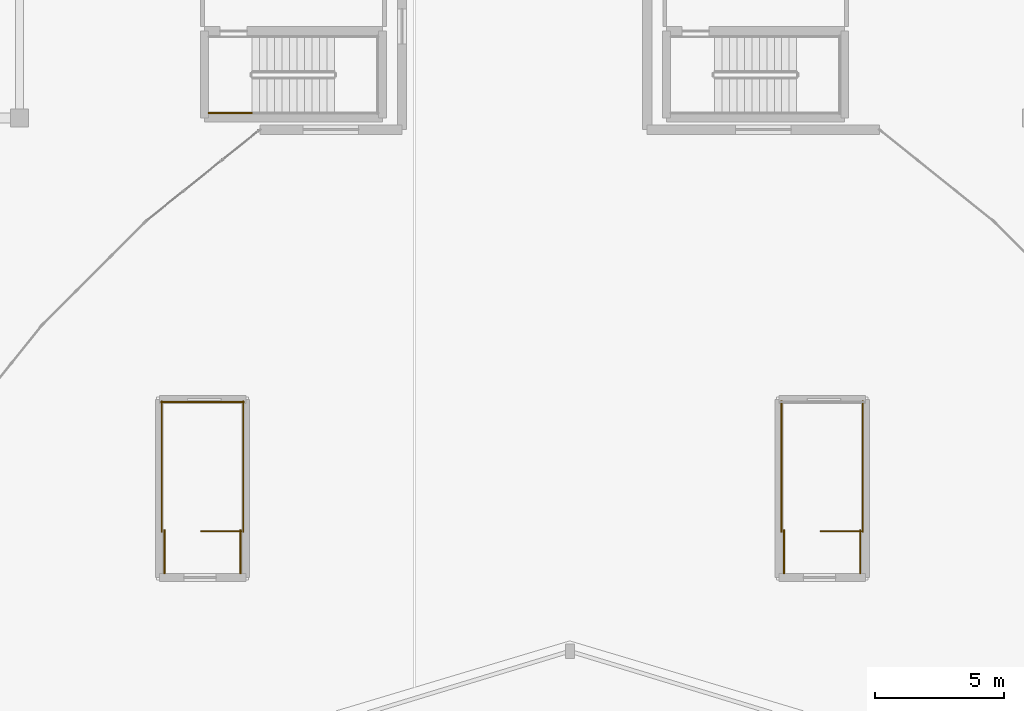
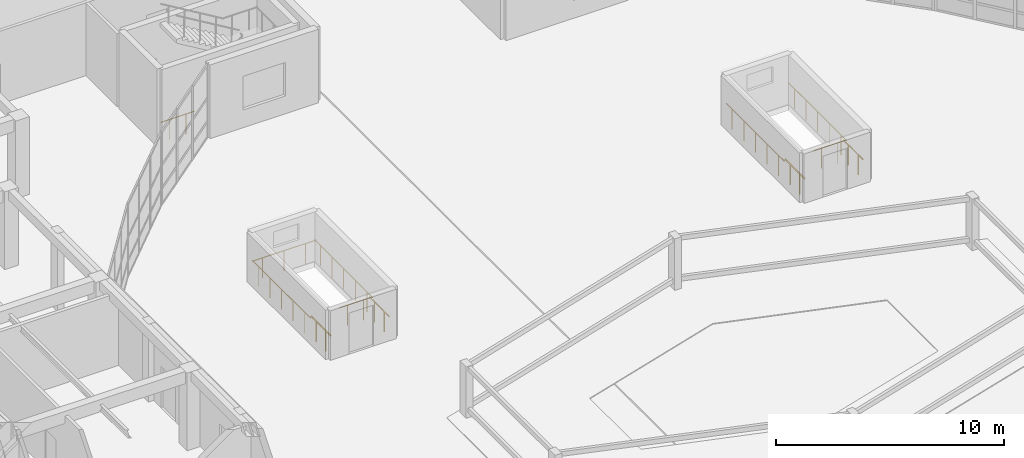
# One storey, part 110 of 114: 12 railings.
"""IFC4 building model written with IfcOpenShell, lengths in metres."""

from ifc_helpers import new_model, si_unit, direction, frame, origin, origin_2d, place, context, subcontext, project, spatial, circle, extrude, material, type_object, element, save


model = new_model("IFC4")

# Units and contexts
model_context = context("Model", 3, precision=1e-05, world=origin(), true_north=direction((0.0, 1.0)))
body_context = subcontext(model_context, "Body", "Model", "MODEL_VIEW")
ifc_project = project(units=[si_unit("LENGTHUNIT", "METRE"), si_unit("AREAUNIT", "SQUARE_METRE"), si_unit("VOLUMEUNIT", "CUBIC_METRE"), si_unit("PLANEANGLEUNIT", "RADIAN"), si_unit("MASSUNIT", "GRAM", prefix="KILO")], contexts=[model_context])

# Site, building, storey
site_placement = place(None, origin())
site = spatial("IfcSite", under=ifc_project, at=site_placement, CompositionType="ELEMENT")
building_placement = place(site_placement, origin())
building = spatial("IfcBuilding", under=site, at=building_placement, Name="Keldmere Railside Commons", CompositionType="ELEMENT")
storey_placement = place(building_placement, origin())
storey = spatial("IfcBuildingStorey", under=building, at=storey_placement, Name="L00", CompositionType="ELEMENT", Elevation=0.0)

# Railings
ifc_material = material(Name="Steel F-24 (S235)", Category="steel")
railing_type = type_object("IfcRailingType", Name="Stair Well Steel Guardrail 1100", PredefinedType="BALUSTRADE", material=ifc_material)
railing_1_placement = place(storey_placement, frame((130.0, 100.64990234375, 0.0)))
element("IfcRailing", 1, at=railing_1_placement, inside=storey, type_object=railing_type, Name="L00 ST-B2 stair guard 8", PredefinedType="BALUSTRADE", context=body_context, shape_type="SweptSolid", body=[
    extrude(circle(Radius=0.02392578125, at=origin_2d()), frame((0.0, 0.0, 1.076171875), z_axis=(1.0, 0.0, 0.0), x_axis=(0.0, 1.0, 0.0)), (0.0, 0.0, 1.0), 1.699951171875),
    extrude(circle(Radius=0.02099609375, at=origin_2d()), frame((0.425048828125, 0.0, 0.0)), (0.0, 0.0, 1.0), 1.048095703125),
    extrude(circle(Radius=0.02099609375, at=origin_2d()), frame((1.27490234375, 0.0, 0.0)), (0.0, 0.0, 1.0), 1.048095703125),
])
railing_2_placement = place(storey_placement, frame((131.300048828125, 84.449951171875, 0.0)))
element("IfcRailing", 2, at=railing_2_placement, inside=storey, type_object=railing_type, Name="L00 ST-B5 top well guard 1", PredefinedType="BALUSTRADE", context=body_context, shape_type="SweptSolid", body=[
    extrude(circle(Radius=0.02392578125, at=origin_2d()), frame((0.0, 0.0, 1.076171875), z_axis=(-1.0, 0.0, 0.0), x_axis=(0.0, -1.0, 0.0)), (0.0, 0.0, 1.0), 1.60009765625),
    extrude(circle(Radius=0.02099609375, at=origin_2d()), frame((-0.39990234375, 0.0, 0.0)), (0.0, 0.0, 1.0), 1.048095703125),
    extrude(circle(Radius=0.02099609375, at=origin_2d()), frame((-1.2001953125, 0.0, 0.0)), (0.0, 0.0, 1.0), 1.048095703125),
])
for number, where, name in (
    (3, (131.35009765625, 84.39990234375, 0.0), "L00 ST-B5 top well guard 2"),
    (4, (128.199951171875, 84.39990234375, 0.0), "L00 ST-B5 top well guard 3"),
):
    element("IfcRailing", number, at=place(storey_placement, frame(where)), inside=storey, type_object=railing_type, Name=name, PredefinedType="BALUSTRADE", context=body_context, shape_type="SweptSolid", body=[
        extrude(circle(Radius=0.02392578125, at=origin_2d()), frame((0.0, 0.0, 1.076171875), z_axis=(0.0, 1.0, 0.0), x_axis=(-1.0, 0.0, 0.0)), (0.0, 0.0, 1.0), 5.10009765625),
        extrude(circle(Radius=0.02099609375, at=origin_2d()), frame((0.0, 0.510009765625, 0.0)), (0.0, 0.0, 1.0), 1.048095703125),
        extrude(circle(Radius=0.02099609375, at=origin_2d()), frame((0.0, 1.530029296875, 0.0)), (0.0, 0.0, 1.0), 1.048095703125),
        extrude(circle(Radius=0.02099609375, at=origin_2d()), frame((0.0, 2.550048828125, 0.0)), (0.0, 0.0, 1.0), 1.048095703125),
        extrude(circle(Radius=0.02099609375, at=origin_2d()), frame((0.0, 3.570068359375, 0.0)), (0.0, 0.0, 1.0), 1.048095703125),
        extrude(circle(Radius=0.02099609375, at=origin_2d()), frame((0.0, 4.590087890625, 0.0)), (0.0, 0.0, 1.0), 1.048095703125),
    ])
railing_3_placement = place(storey_placement, frame((131.39990234375, 89.449951171875, 0.0)))
element("IfcRailing", 5, at=railing_3_placement, inside=storey, type_object=railing_type, Name="L00 ST-B5 top well guard 4", PredefinedType="BALUSTRADE", context=body_context, shape_type="SweptSolid", body=[
    extrude(circle(Radius=0.02392578125, at=origin_2d()), frame((0.0, 0.0, 1.076171875), z_axis=(-1.0, 0.0, 0.0), x_axis=(0.0, -1.0, 0.0)), (0.0, 0.0, 1.0), 3.25),
    extrude(circle(Radius=0.02099609375, at=origin_2d()), frame((-0.541748046875, 0.0, 0.0)), (0.0, 0.0, 1.0), 1.048095703125),
    extrude(circle(Radius=0.02099609375, at=origin_2d()), frame((-1.625, 0.0, 0.0)), (0.0, 0.0, 1.0), 1.048095703125),
    extrude(circle(Radius=0.02099609375, at=origin_2d()), frame((-2.708251953125, 0.0, 0.0)), (0.0, 0.0, 1.0), 1.048095703125),
])
for number, where, name in (
    (6, (131.25, 82.800048828125, 0.0), "L00 ST-B5 top well guard 5"),
    (7, (128.300048828125, 82.800048828125, 0.0), "L00 ST-B5 top well guard 6"),
):
    element("IfcRailing", number, at=place(storey_placement, frame(where)), inside=storey, type_object=railing_type, Name=name, PredefinedType="BALUSTRADE", context=body_context, shape_type="SweptSolid", body=[
        extrude(circle(Radius=0.02392578125, at=origin_2d()), frame((0.0, 0.0, 1.076171875), z_axis=(0.0, 1.0, 0.0), x_axis=(-1.0, 0.0, 0.0)), (0.0, 0.0, 1.0), 1.699951171875),
        extrude(circle(Radius=0.02099609375, at=origin_2d()), frame((0.0, 0.425048828125, 0.0)), (0.0, 0.0, 1.0), 1.048095703125),
        extrude(circle(Radius=0.02099609375, at=origin_2d()), frame((0.0, 1.27490234375, 0.0)), (0.0, 0.0, 1.0), 1.048095703125),
    ])
railing_4_placement = place(storey_placement, frame((155.300048828125, 84.449951171875, 0.0)))
element("IfcRailing", 8, at=railing_4_placement, inside=storey, type_object=railing_type, Name="L00 ST-B6 top well guard 1", PredefinedType="BALUSTRADE", context=body_context, shape_type="SweptSolid", body=[
    extrude(circle(Radius=0.02392578125, at=origin_2d()), frame((0.0, 0.0, 1.076171875), z_axis=(-1.0, 0.0, 0.0), x_axis=(0.0, -1.0, 0.0)), (0.0, 0.0, 1.0), 1.60009765625),
    extrude(circle(Radius=0.02099609375, at=origin_2d()), frame((-0.39990234375, 0.0, 0.0)), (0.0, 0.0, 1.0), 1.048095703125),
    extrude(circle(Radius=0.02099609375, at=origin_2d()), frame((-1.2001953125, 0.0, 0.0)), (0.0, 0.0, 1.0), 1.048095703125),
])
for number, where, name in (
    (9, (155.35009765625, 84.39990234375, 0.0), "L00 ST-B6 top well guard 2"),
    (10, (152.199951171875, 84.39990234375, 0.0), "L00 ST-B6 top well guard 3"),
):
    element("IfcRailing", number, at=place(storey_placement, frame(where)), inside=storey, type_object=railing_type, Name=name, PredefinedType="BALUSTRADE", context=body_context, shape_type="SweptSolid", body=[
        extrude(circle(Radius=0.02392578125, at=origin_2d()), frame((0.0, 0.0, 1.076171875), z_axis=(0.0, 1.0, 0.0), x_axis=(-1.0, 0.0, 0.0)), (0.0, 0.0, 1.0), 5.10009765625),
        extrude(circle(Radius=0.02099609375, at=origin_2d()), frame((0.0, 0.510009765625, 0.0)), (0.0, 0.0, 1.0), 1.048095703125),
        extrude(circle(Radius=0.02099609375, at=origin_2d()), frame((0.0, 1.530029296875, 0.0)), (0.0, 0.0, 1.0), 1.048095703125),
        extrude(circle(Radius=0.02099609375, at=origin_2d()), frame((0.0, 2.550048828125, 0.0)), (0.0, 0.0, 1.0), 1.048095703125),
        extrude(circle(Radius=0.02099609375, at=origin_2d()), frame((0.0, 3.570068359375, 0.0)), (0.0, 0.0, 1.0), 1.048095703125),
        extrude(circle(Radius=0.02099609375, at=origin_2d()), frame((0.0, 4.590087890625, 0.0)), (0.0, 0.0, 1.0), 1.048095703125),
    ])
for number, where, name in (
    (11, (155.25, 82.800048828125, 0.0), "L00 ST-B6 top well guard 5"),
    (12, (152.300048828125, 82.800048828125, 0.0), "L00 ST-B6 top well guard 6"),
):
    element("IfcRailing", number, at=place(storey_placement, frame(where)), inside=storey, type_object=railing_type, Name=name, PredefinedType="BALUSTRADE", context=body_context, shape_type="SweptSolid", body=[
        extrude(circle(Radius=0.02392578125, at=origin_2d()), frame((0.0, 0.0, 1.076171875), z_axis=(0.0, 1.0, 0.0), x_axis=(-1.0, 0.0, 0.0)), (0.0, 0.0, 1.0), 1.699951171875),
        extrude(circle(Radius=0.02099609375, at=origin_2d()), frame((0.0, 0.425048828125, 0.0)), (0.0, 0.0, 1.0), 1.048095703125),
        extrude(circle(Radius=0.02099609375, at=origin_2d()), frame((0.0, 1.27490234375, 0.0)), (0.0, 0.0, 1.0), 1.048095703125),
    ])

save(model, "model.ifc")
